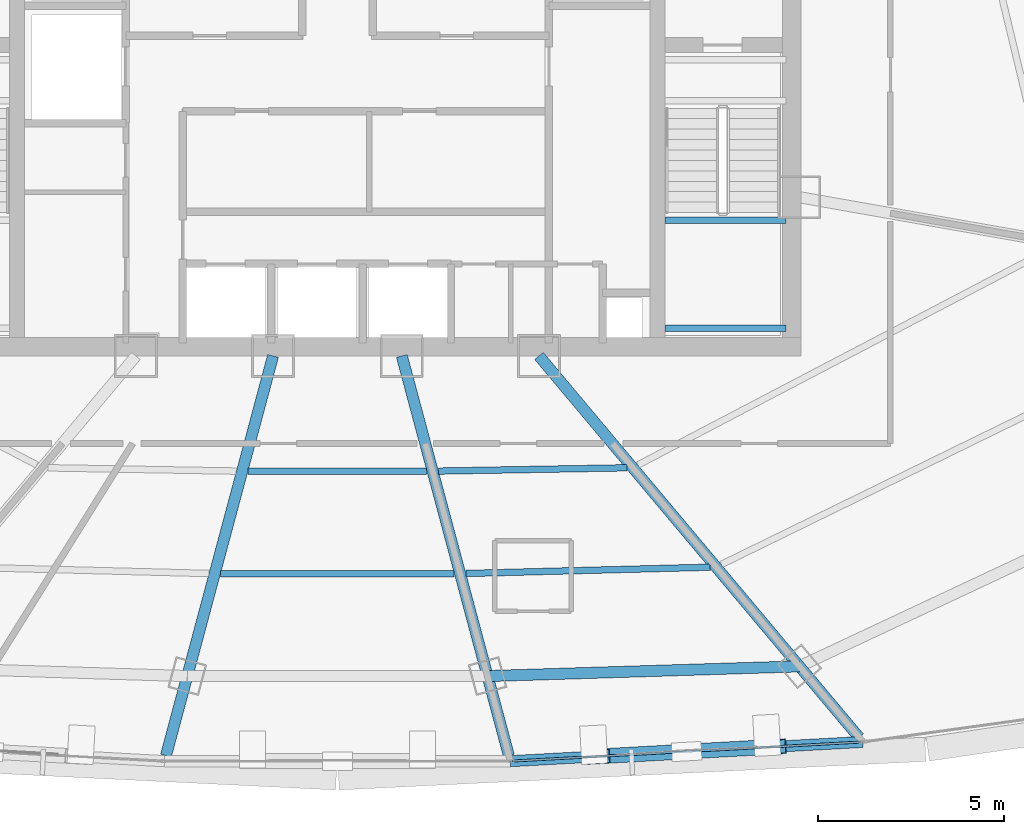
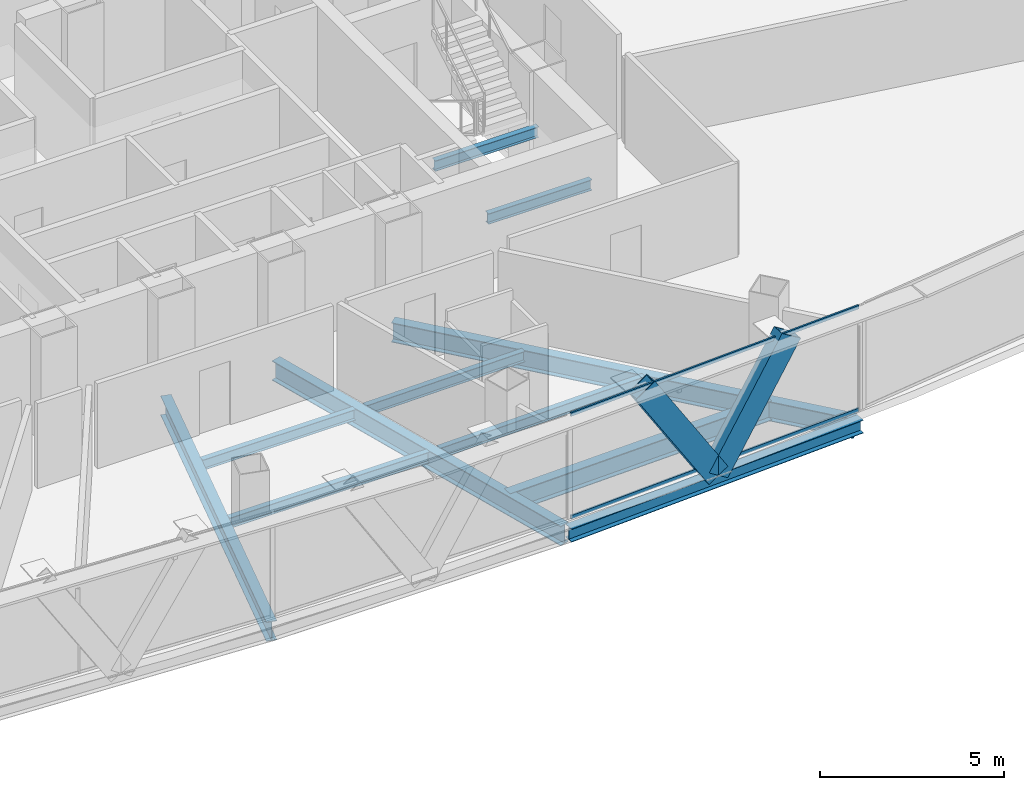
# One storey, part 11 of 36: 11 beams, 4 members, 1 element without a shape of its own.
"""IFC4 building model written with IfcOpenShell, lengths in metres."""

from ifc_helpers import new_model, si_unit, direction, frame, origin, origin_2d, place, context, subcontext, project, spatial, hollow_rectangle, i_section, extrude, source, transform, mapped, material, layer, layer_set, material_profile, profile_set, type_object, element, aggregate, save


model = new_model("IFC4")

# Units and contexts
model_context = context("Model", 3, precision=1e-05, world=origin(), true_north=direction((0.0, 1.0)))
body_context = subcontext(model_context, "Body", "Model", "MODEL_VIEW")
ifc_project = project(units=[si_unit("LENGTHUNIT", "METRE"), si_unit("AREAUNIT", "SQUARE_METRE"), si_unit("VOLUMEUNIT", "CUBIC_METRE"), si_unit("PLANEANGLEUNIT", "RADIAN"), si_unit("MASSUNIT", "GRAM", prefix="KILO"), si_unit("THERMODYNAMICTEMPERATUREUNIT", "KELVIN"), si_unit("POWERUNIT", "WATT")], contexts=[model_context])

# Site, building, storey
site_placement = place(None, origin())
site = spatial("IfcSite", under=ifc_project, at=site_placement, CompositionType="ELEMENT")
building_placement = place(site_placement, origin())
building = spatial("IfcBuilding", under=site, at=building_placement, Name="Yunzhuo Pagoda Commons", CompositionType="ELEMENT")
storey_placement = place(building_placement, frame((0.0, 0.0, 248.260009765625)))
storey = spatial("IfcBuildingStorey", under=building, at=storey_placement, Name="L62", CompositionType="ELEMENT", Elevation=248.260009765625)

# Beams
ifc_material_1 = material(Name="Structural steel Q355B", Category="steel")
ifc_material_profile_1 = material_profile(ifc_material_1, i_section(OverallWidth=0.175048828125, OverallDepth=0.35009765625, WebThickness=0.007080078125, FlangeThickness=0.010986328125, at=origin_2d()), Name="Structural steel Q355B")
ifc_profile_set_1 = profile_set([ifc_material_profile_1], Name="Structural steel Q355B")
beam_type_1 = type_object("IfcBeamType", Name="B-JS2 Joist HN 350x175x7x11", PredefinedType="JOIST", material=ifc_profile_set_1)
shared_shape_1 = source(origin(), body_context, "Body", "SweptSolid", [
    extrude(i_section(OverallWidth=0.175048828125, OverallDepth=0.35009765625, WebThickness=0.007080078125, FlangeThickness=0.010986328125, at=origin_2d()), origin(), (0.0, 0.0, 1.0), 3.25),
])
for number, where, z_axis, x_axis, name in (
    (1, (56.800048828125, 28.0, 1.489990234375), (1.0, 0.0, 0.0), (0.0, 1.0, 0.0), "L62 ST2 landing support beam 68A"),
    (2, (56.800048828125, 30.89990234375, 1.489990234375), (1.0, 0.0, 0.0), (0.0, 1.0, 0.0), "L62 ST2 landing support beam 68B"),
):
    element("IfcBeam", number, at=place(storey_placement, frame(where, z_axis=z_axis, x_axis=x_axis)), inside=storey, type_object=beam_type_1, Name=name, PredefinedType="JOIST", context=body_context, shape_type="MappedRepresentation", body=[
        mapped(shared_shape_1, transform((0.0, 0.0, 0.0), scale=1.0)),
    ])
ifc_material_profile_2 = material_profile(ifc_material_1, i_section(OverallWidth=0.300048828125, OverallDepth=0.64990234375, WebThickness=0.012939453125, FlangeThickness=0.02197265625, at=origin_2d()), Name="Structural steel Q355B")
ifc_profile_set_2 = profile_set([ifc_material_profile_2], Name="Structural steel Q355B")
beam_type_2 = type_object("IfcBeamType", Name="B-RG2 Beam HN 650x300x13x22", PredefinedType="BEAM", material=ifc_profile_set_2)
shared_shape_2 = source(origin(), body_context, "Body", "SweptSolid", [
    extrude(i_section(OverallWidth=0.300048828125, OverallDepth=0.64990234375, WebThickness=0.012939453125, FlangeThickness=0.02197265625, at=origin_2d()), origin(), (0.0, 0.0, 1.0), 8.37939453125),
])
beam_1_placement = place(storey_placement, frame((52.031494140625, 18.654052734375, -0.5849609375), z_axis=(0.999519382133, 0.031000076447, 0.0), x_axis=(-0.031000076447, 0.999519382133, 0.0)))
element("IfcBeam", 3, at=beam_1_placement, inside=storey, type_object=beam_type_2, Name="L62 column-ring beam 3", PredefinedType="BEAM", context=body_context, shape_type="MappedRepresentation", body=[
    mapped(shared_shape_2, transform((0.0, 0.0, 0.0), scale=1.0)),
])
shared_shape_3 = source(origin(), body_context, "Body", "SweptSolid", [
    extrude(i_section(OverallWidth=0.175048828125, OverallDepth=0.35009765625, WebThickness=0.007080078125, FlangeThickness=0.010986328125, at=origin_2d()), origin(), (0.0, 0.0, 1.0), 5.0556640625),
])
beam_2_placement = place(storey_placement, frame((50.716552734375, 24.158203125, -0.43505859375), z_axis=(0.999848878561, 0.017384477, 0.0), x_axis=(-0.017384477, 0.999848878561, 0.0)))
element("IfcBeam", 4, at=beam_2_placement, inside=storey, type_object=beam_type_1, Name="L62 composite ring joist 1.3", PredefinedType="JOIST", context=body_context, shape_type="MappedRepresentation", body=[
    mapped(shared_shape_3, transform((0.0, 0.0, 0.0), scale=1.0)),
])
shared_shape_4 = source(origin(), body_context, "Body", "SweptSolid", [
    extrude(i_section(OverallWidth=0.175048828125, OverallDepth=0.35009765625, WebThickness=0.007080078125, FlangeThickness=0.010986328125, at=origin_2d()), origin(), (0.0, 0.0, 1.0), 6.558349609375),
])
beam_3_placement = place(storey_placement, frame((51.45361328125, 21.40869140625, -0.43505859375), z_axis=(0.99966910323, 0.025723220017, 0.0), x_axis=(-0.025723220017, 0.99966910323, 0.0)))
element("IfcBeam", 5, at=beam_3_placement, inside=storey, type_object=beam_type_1, Name="L62 composite ring joist 2.3", PredefinedType="JOIST", context=body_context, shape_type="MappedRepresentation", body=[
    mapped(shared_shape_4, transform((0.0, 0.0, 0.0), scale=1.0)),
])
shared_shape_5 = source(origin(), body_context, "Body", "SweptSolid", [
    extrude(i_section(OverallWidth=0.175048828125, OverallDepth=0.35009765625, WebThickness=0.007080078125, FlangeThickness=0.010986328125, at=origin_2d()), origin(), (0.0, 0.0, 1.0), 4.796875),
])
beam_4_placement = place(storey_placement, frame((45.601806640625, 24.155517578125, -0.43505859375), z_axis=(1.0, 0.0, 0.0), x_axis=(0.0, 1.0, 0.0)))
element("IfcBeam", 6, at=beam_4_placement, inside=storey, type_object=beam_type_1, Name="L62 composite ring joist 1.2", PredefinedType="JOIST", context=body_context, shape_type="MappedRepresentation", body=[
    mapped(shared_shape_5, transform((0.0, 0.0, 0.0), scale=1.0)),
])
shared_shape_6 = source(origin(), body_context, "Body", "SweptSolid", [
    extrude(i_section(OverallWidth=0.175048828125, OverallDepth=0.35009765625, WebThickness=0.007080078125, FlangeThickness=0.010986328125, at=origin_2d()), origin(), (0.0, 0.0, 1.0), 6.27099609375),
])
beam_5_placement = place(storey_placement, frame((44.864501953125, 21.40478515625, -0.43505859375), z_axis=(1.0, 0.0, 0.0), x_axis=(0.0, 1.0, 0.0)))
element("IfcBeam", 7, at=beam_5_placement, inside=storey, type_object=beam_type_1, Name="L62 composite ring joist 2.2", PredefinedType="JOIST", context=body_context, shape_type="MappedRepresentation", body=[
    mapped(shared_shape_6, transform((0.0, 0.0, 0.0), scale=1.0)),
])
shared_shape_7 = source(origin(), body_context, "Body", "SweptSolid", [
    extrude(i_section(OverallWidth=0.300048828125, OverallDepth=0.64990234375, WebThickness=0.012939453125, FlangeThickness=0.02197265625, at=origin_2d()), origin(), (0.0, 0.0, 1.0), 11.110107421875),
])
beam_6_placement = place(storey_placement, frame((43.396240234375, 16.5185546875, -0.5849609375), z_axis=(0.258840066388, 0.965920193407, 0.0), x_axis=(-0.965920193407, 0.258840066388, 0.0)))
element("IfcBeam", 8, at=beam_6_placement, inside=storey, type_object=beam_type_2, Name="L62 radial floor girder F1C2", PredefinedType="BEAM", context=body_context, shape_type="MappedRepresentation", body=[
    mapped(shared_shape_7, transform((0.0, 0.0, 0.0), scale=1.0)),
])
shared_shape_8 = source(origin(), body_context, "Body", "SweptSolid", [
    extrude(i_section(OverallWidth=0.300048828125, OverallDepth=0.64990234375, WebThickness=0.012939453125, FlangeThickness=0.02197265625, at=origin_2d()), origin(), (0.0, 0.0, 1.0), 11.10986328125),
])
beam_7_placement = place(storey_placement, frame((52.603759765625, 16.5185546875, -0.5849609375), z_axis=(-0.258799060806, 0.965931180844, 0.0), x_axis=(-0.965931180844, -0.258799060806, 0.0)))
element("IfcBeam", 9, at=beam_7_placement, inside=storey, type_object=beam_type_2, Name="L62 radial floor girder F1C3", PredefinedType="BEAM", context=body_context, shape_type="MappedRepresentation", body=[
    mapped(shared_shape_8, transform((0.0, 0.0, 0.0), scale=1.0)),
])
shared_shape_9 = source(origin(), body_context, "Body", "SweptSolid", [
    extrude(i_section(OverallWidth=0.300048828125, OverallDepth=0.64990234375, WebThickness=0.012939453125, FlangeThickness=0.02197265625, at=origin_2d()), origin(), (0.0, 0.0, 1.0), 13.37548828125),
])
beam_8_placement = place(storey_placement, frame((62.009765625, 17.00390625, -0.5849609375), z_axis=(-0.642794750623, 0.766038451105, 0.0), x_axis=(-0.766038451105, -0.642794750623, 0.0)))
element("IfcBeam", 10, at=beam_8_placement, inside=storey, type_object=beam_type_2, Name="L62 radial floor girder F1C4", PredefinedType="BEAM", context=body_context, shape_type="MappedRepresentation", body=[
    mapped(shared_shape_9, transform((0.0, 0.0, 0.0), scale=1.0)),
])
ifc_material_profile_3 = material_profile(ifc_material_1, i_section(OverallWidth=0.300048828125, OverallDepth=0.43994140625, WebThickness=0.010986328125, FlangeThickness=0.01806640625, at=origin_2d()), Name="Structural steel Q355B")
ifc_profile_set_3 = profile_set([ifc_material_profile_3], Name="Structural steel Q355B")
beam_type_3 = type_object("IfcBeamType", Name="B-SP2 Beam HM 440x300x11x18", PredefinedType="BEAM", material=ifc_profile_set_3)
shared_shape_10 = source(origin(), body_context, "Body", "SweptSolid", [
    extrude(i_section(OverallWidth=0.300048828125, OverallDepth=0.43994140625, WebThickness=0.010986328125, FlangeThickness=0.01806640625, at=origin_2d()), origin(), (0.0, 0.0, 1.0), 9.4794921875),
])
beam_9_placement = place(storey_placement, frame((52.643798828125, 16.36865234375, -0.47998046875), z_axis=(0.998513924763, 0.054497174743, 0.0), x_axis=(-0.054497174743, 0.998513924763, 0.0)))
element("IfcBeam", 11, at=beam_9_placement, inside=storey, type_object=beam_type_3, Name="L62 facade edge spandrel beam F1.3", PredefinedType="BEAM", context=body_context, shape_type="MappedRepresentation", body=[
    mapped(shared_shape_10, transform((0.0, 0.0, 0.0), scale=1.0)),
])

# Members
ifc_material_profile_4 = material_profile(ifc_material_1, hollow_rectangle(XDim=0.39990234375, YDim=0.719970703125, WallThickness=0.02392578125, at=origin_2d()), Name="Structural steel Q355B")
ifc_profile_set_4 = profile_set([ifc_material_profile_4], Name="Structural steel Q355B")
member_type_1 = type_object("IfcMemberType", Name="M-DL2 Brace BOX 720x400x24", PredefinedType="BRACE", material=ifc_profile_set_4)
shared_shape_11 = source(origin(), body_context, "Body", "SweptSolid", [
    extrude(hollow_rectangle(XDim=0.39990234375, YDim=0.719970703125, WallThickness=0.02392578125, at=origin_2d()), origin(), (0.0, 0.0, 1.0), 4.419189453125),
])
member_1_placement = place(storey_placement, frame((57.376708984375, 16.626953125, -0.260009765625), z_axis=(0.535425810679, 0.029279372643, 0.844074593621), x_axis=(-0.054602695503, 0.998508160029, 0.0)))
element("IfcMember", 12, at=member_1_placement, inside=storey, type_object=member_type_1, Name="L62 facade diamond brace F1.3R", PredefinedType="BRACE", context=body_context, shape_type="MappedRepresentation", body=[
    mapped(shared_shape_11, transform((0.0, 0.0, 0.0), scale=1.0)),
])
shared_shape_12 = source(origin(), body_context, "Body", "SweptSolid", [
    extrude(hollow_rectangle(XDim=0.39990234375, YDim=0.719970703125, WallThickness=0.02392578125, at=origin_2d()), origin(), (0.0, 0.0, 1.0), 4.41943359375),
])
member_2_placement = place(storey_placement, frame((57.376708984375, 16.626953125, -0.260009765625), z_axis=(-0.535466080863, -0.029223311336, 0.844050990355), x_axis=(0.05449437193, -0.998514077731, 0.0)))
element("IfcMember", 13, at=member_2_placement, inside=storey, type_object=member_type_1, Name="L62 facade diamond brace F1.3L", PredefinedType="BRACE", context=body_context, shape_type="MappedRepresentation", body=[
    mapped(shared_shape_12, transform((0.0, 0.0, 0.0), scale=1.0)),
])

# Curtain wall, members
ifc_material_2 = material(Name="Anodized aluminium 6063-T6", Category="aluminium")
ifc_layer = layer(ifc_material_2, 0.139892578125)
ifc_layer_set = layer_set([ifc_layer], Name="Anodized aluminium 6063-T6")
curtain_wall_type = type_object("IfcCurtainWallType", Name="CW-HI High-Zone Ribbon Curtain Wall", PredefinedType="NOTDEFINED", material=ifc_layer_set)
curtain_wall_placement = place(storey_placement, origin())
curtain_wall = element("IfcCurtainWall", 14, at=curtain_wall_placement, inside=storey, type_object=curtain_wall_type, Name="L62 curtain wall CW-L62-F1B4", PredefinedType="NOTDEFINED")
ifc_material_profile_5 = material_profile(ifc_material_2, hollow_rectangle(XDim=0.054931640625, YDim=0.1201171875, WallThickness=0.00341796875, at=origin_2d()), Name="Anodized aluminium 6063-T6")
ifc_profile_set_5 = profile_set([ifc_material_profile_5], Name="Anodized aluminium 6063-T6")
member_type_2 = type_object("IfcMemberType", Name="CW-HI-T Transom RHS 120x55x3.5", PredefinedType="USERDEFINED", material=ifc_profile_set_5)
shared_shape_13 = source(origin(), body_context, "Body", "SweptSolid", [
    extrude(hollow_rectangle(XDim=0.054931640625, YDim=0.1201171875, WallThickness=0.00341796875, at=origin_2d()), origin(), (0.0, 0.0, 1.0), 9.359375),
])
member_3_placement = place(storey_placement, frame((52.703857421875, 16.3720703125, 0.027587890625), z_axis=(0.998514211569, 0.054491919537, 0.0), x_axis=(-0.054491919537, 0.998514211569, 0.0)))
member_3 = element("IfcMember", 15, at=member_3_placement, type_object=member_type_2, Name="CW transom 1.1", ObjectType="TRANSOM", PredefinedType="USERDEFINED", context=body_context, shape_type="MappedRepresentation", body=[
    mapped(shared_shape_13, transform((0.0, 0.0, 0.0), scale=1.0)),
])
member_4_placement = place(storey_placement, frame((52.703857421875, 16.3720703125, 3.4423828125), z_axis=(0.998514211569, 0.054491919537, 0.0), x_axis=(-0.054491919537, 0.998514211569, 0.0)))
member_4 = element("IfcMember", 16, at=member_4_placement, type_object=member_type_2, Name="CW transom 1.2", ObjectType="TRANSOM", PredefinedType="USERDEFINED", context=body_context, shape_type="MappedRepresentation", body=[
    mapped(shared_shape_13, transform((0.0, 0.0, 0.0), scale=1.0)),
])
aggregate(curtain_wall, [member_3, member_4])

save(model, "model.ifc")
